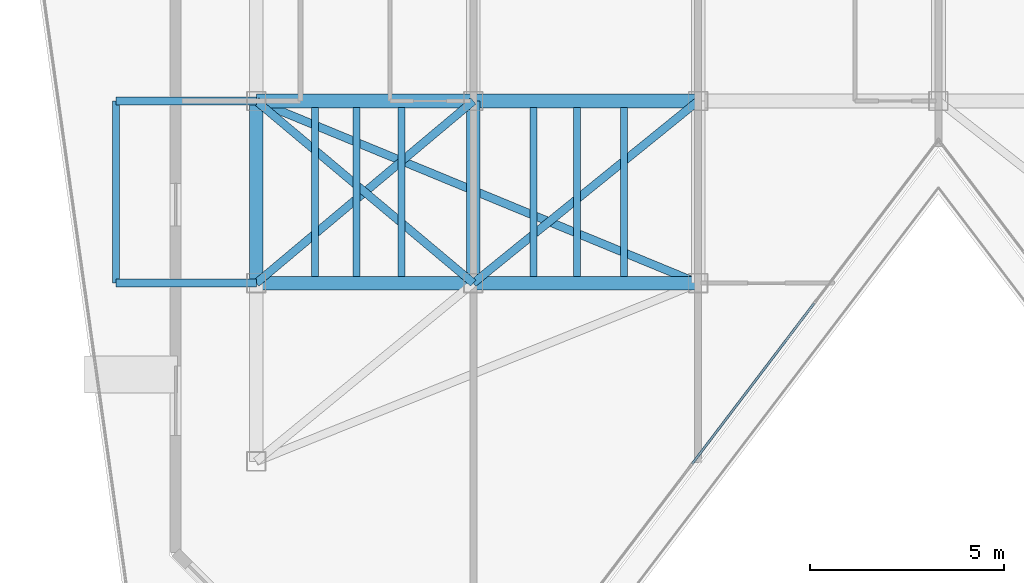
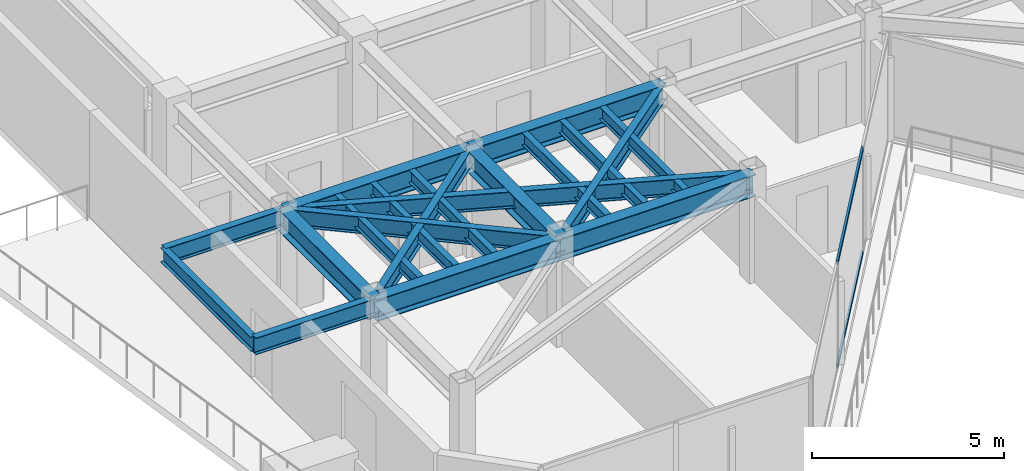
# One storey, part 5 of 20: 19 beams, 2 members, 1 element without a shape of its own.
"""IFC4 building model written with IfcOpenShell, lengths in metres."""

from ifc_helpers import new_model, si_unit, direction, frame, origin, origin_2d, place, context, subcontext, project, spatial, hollow_rectangle, i_section, extrude, material, layer, layer_set, material_profile, profile_set, type_object, element, aggregate, save


model = new_model("IFC4")

# Units and contexts
model_context = context("Model", 3, precision=1e-05, world=origin(), true_north=direction((0.0, 1.0)))
body_context = subcontext(model_context, "Body", "Model", "MODEL_VIEW")
ifc_project = project(units=[si_unit("LENGTHUNIT", "METRE"), si_unit("AREAUNIT", "SQUARE_METRE"), si_unit("VOLUMEUNIT", "CUBIC_METRE"), si_unit("PLANEANGLEUNIT", "RADIAN"), si_unit("MASSUNIT", "GRAM", prefix="KILO")], contexts=[model_context])

# Site, building, storey
site_placement = place(None, origin())
site = spatial("IfcSite", under=ifc_project, at=site_placement, CompositionType="ELEMENT")
building_placement = place(site_placement, origin())
building = spatial("IfcBuilding", under=site, at=building_placement, Name="Kravanh Interchange Tower", CompositionType="ELEMENT")
storey_placement = place(building_placement, frame((0.0, 0.0, 245.39990234375)))
storey = spatial("IfcBuildingStorey", under=building, at=storey_placement, Name="L59", CompositionType="ELEMENT", Elevation=245.39990234375)

# Curtain wall, members
ifc_material_1 = material(Name="Anodised Bronze Aluminium", Category="aluminium")
ifc_layer = layer(ifc_material_1, 0.179931640625)
ifc_layer_set = layer_set([ifc_layer], Name="Unitised Curtain Wall System CW-HTL Luxury Hotel")
curtain_wall_type = type_object("IfcCurtainWallType", Name="Unitised Curtain Wall System CW-HTL Luxury Hotel", PredefinedType="NOTDEFINED", material=ifc_layer_set)
curtain_wall_placement = place(storey_placement, origin())
curtain_wall = element("IfcCurtainWall", 1, at=curtain_wall_placement, inside=storey, type_object=curtain_wall_type, Name="L59 Unitised Curtain Wall CW-L59-05", PredefinedType="NOTDEFINED")
ifc_material_2 = material(Name="Anodised Bronze Aluminium", Category="aluminium")
ifc_material_profile_1 = material_profile(ifc_material_2, hollow_rectangle(XDim=0.06005859375, YDim=0.139892578125, WallThickness=0.00390625, at=origin_2d()), Name="ALU60X140X4")
ifc_profile_set_1 = profile_set([ifc_material_profile_1], Name="Anodised Bronze Aluminium")
member_type = type_object("IfcMemberType", Name="Curtain Wall Transom ALU60X140X4 Bronze", PredefinedType="USERDEFINED", material=ifc_profile_set_1)
member_1_placement = place(storey_placement, frame((41.595458984375, 26.28173828125, 0.030029296875), z_axis=(-0.605104668693, -0.796145928788, 0.0), x_axis=(0.796145928788, -0.605104668693, 0.0)))
member_1 = element("IfcMember", 2, at=member_1_placement, type_object=member_type, Name="CW-HTL transom 2.1", ObjectType="TRANSOM", PredefinedType="USERDEFINED", context=body_context, shape_type="SweptSolid", body=[
    extrude(hollow_rectangle(XDim=0.06005859375, YDim=0.139892578125, WallThickness=0.00390625, at=origin_2d()), origin(), (0.0, 0.0, 1.0), 5.206298828125),
])
member_2_placement = place(storey_placement, frame((41.595458984375, 26.28173828125, 3.330078125), z_axis=(-0.605104668693, -0.796145928788, 0.0), x_axis=(0.796145928788, -0.605104668693, 0.0)))
member_2 = element("IfcMember", 3, at=member_2_placement, type_object=member_type, Name="CW-HTL transom 2.2", ObjectType="TRANSOM", PredefinedType="USERDEFINED", context=body_context, shape_type="SweptSolid", body=[
    extrude(hollow_rectangle(XDim=0.06005859375, YDim=0.139892578125, WallThickness=0.00390625, at=origin_2d()), origin(), (0.0, 0.0, 1.0), 5.206298828125),
])
aggregate(curtain_wall, [member_1, member_2])

# Beams
ifc_material_3 = material(Name="Structural Steel S355", Category="steel")
ifc_material_profile_2 = material_profile(ifc_material_3, i_section(OverallWidth=0.35498046875, OverallDepth=0.696044921875, WebThickness=0.015380859375, FlangeThickness=0.02490234375, FilletRadius=0.02392578125, at=origin_2d()), Name="W27X146")
ifc_profile_set_2 = profile_set([ifc_material_profile_2], Name="Structural Steel S355")
beam_type_1 = type_object("IfcBeamType", Name="Floor Beam W27X146 Structural Steel S355", PredefinedType="BEAM", material=ifc_profile_set_2)
beam_1_placement = place(storey_placement, frame((38.60009765625, 31.5, 3.01220703125), z_axis=(-1.0, 0.0, 0.0), x_axis=(0.0, -1.0, 0.0)))
element("IfcBeam", 4, at=beam_1_placement, inside=storey, type_object=beam_type_1, Name="L59 Primary Floor Girder 18", PredefinedType="BEAM", context=body_context, shape_type="SweptSolid", body=[
    extrude(i_section(OverallWidth=0.35498046875, OverallDepth=0.696044921875, WebThickness=0.015380859375, FlangeThickness=0.02490234375, FilletRadius=0.02392578125, at=origin_2d()), origin(), (0.0, 0.0, 1.0), 5.800048828125),
])
beam_2_placement = place(storey_placement, frame((32.800048828125, 31.5, 3.01220703125), z_axis=(0.0, -1.0, 0.0), x_axis=(1.0, 0.0, 0.0)))
element("IfcBeam", 5, at=beam_2_placement, inside=storey, type_object=beam_type_1, Name="L59 Primary Floor Girder 21", PredefinedType="BEAM", context=body_context, shape_type="SweptSolid", body=[
    extrude(i_section(OverallWidth=0.35498046875, OverallDepth=0.696044921875, WebThickness=0.015380859375, FlangeThickness=0.02490234375, FilletRadius=0.02392578125, at=origin_2d()), origin(), (0.0, 0.0, 1.0), 4.699951171875),
])
beam_3_placement = place(storey_placement, frame((32.800048828125, 31.5, 3.01220703125), z_axis=(-1.0, 0.0, 0.0), x_axis=(0.0, -1.0, 0.0)))
element("IfcBeam", 6, at=beam_3_placement, inside=storey, type_object=beam_type_1, Name="L59 Primary Floor Girder 22", PredefinedType="BEAM", context=body_context, shape_type="SweptSolid", body=[
    extrude(i_section(OverallWidth=0.35498046875, OverallDepth=0.696044921875, WebThickness=0.015380859375, FlangeThickness=0.02490234375, FilletRadius=0.02392578125, at=origin_2d()), origin(), (0.0, 0.0, 1.0), 5.60009765625),
])
beam_4_placement = place(storey_placement, frame((27.199951171875, 31.5, 3.01220703125), z_axis=(0.0, -1.0, 0.0), x_axis=(1.0, 0.0, 0.0)))
element("IfcBeam", 7, at=beam_4_placement, inside=storey, type_object=beam_type_1, Name="L59 Primary Floor Girder 25", PredefinedType="BEAM", context=body_context, shape_type="SweptSolid", body=[
    extrude(i_section(OverallWidth=0.35498046875, OverallDepth=0.696044921875, WebThickness=0.015380859375, FlangeThickness=0.02490234375, FilletRadius=0.02392578125, at=origin_2d()), origin(), (0.0, 0.0, 1.0), 4.699951171875),
])
beam_5_placement = place(storey_placement, frame((38.60009765625, 26.800048828125, 3.01220703125), z_axis=(-1.0, 0.0, 0.0), x_axis=(0.0, -1.0, 0.0)))
element("IfcBeam", 8, at=beam_5_placement, inside=storey, type_object=beam_type_1, Name="L59 Primary Floor Girder 29", PredefinedType="BEAM", context=body_context, shape_type="SweptSolid", body=[
    extrude(i_section(OverallWidth=0.35498046875, OverallDepth=0.696044921875, WebThickness=0.015380859375, FlangeThickness=0.02490234375, FilletRadius=0.02392578125, at=origin_2d()), origin(), (0.0, 0.0, 1.0), 5.800048828125),
])
beam_6_placement = place(storey_placement, frame((27.199951171875, 26.800048828125, 3.01220703125), z_axis=(1.0, 0.0, 0.0), x_axis=(0.0, 1.0, 0.0)))
element("IfcBeam", 9, at=beam_6_placement, inside=storey, type_object=beam_type_1, Name="L59 Primary Floor Girder 42", PredefinedType="BEAM", context=body_context, shape_type="SweptSolid", body=[
    extrude(i_section(OverallWidth=0.35498046875, OverallDepth=0.696044921875, WebThickness=0.015380859375, FlangeThickness=0.02490234375, FilletRadius=0.02392578125, at=origin_2d()), origin(), (0.0, 0.0, 1.0), 5.60009765625),
])
ifc_material_4 = material(Name="Structural Steel S355", Category="steel")
ifc_material_profile_3 = material_profile(ifc_material_4, i_section(OverallWidth=0.177978515625, OverallDepth=0.406005859375, WebThickness=0.0078125, FlangeThickness=0.0126953125, FilletRadius=0.01611328125, at=origin_2d()), Name="W16X40")
ifc_profile_set_3 = profile_set([ifc_material_profile_3], Name="Structural Steel S355")
beam_type_2 = type_object("IfcBeamType", Name="Floor Joist W16X40 Structural Steel S355", PredefinedType="JOIST", material=ifc_profile_set_3)
for number, where, z_axis, x_axis, name in (
    (10, (28.7099609375, 26.972412109375, 3.156982421875), (0.0, 1.0, 0.0), (-1.0, 0.0, 0.0), "L59 Secondary Floor Joist 4"),
    (11, (29.784912109375, 26.972412109375, 3.156982421875), (0.0, 1.0, 0.0), (-1.0, 0.0, 0.0), "L59 Secondary Floor Joist 5"),
    (12, (30.946044921875, 26.972412109375, 3.156982421875), (0.0, 1.0, 0.0), (-1.0, 0.0, 0.0), "L59 Secondary Floor Joist 6"),
    (13, (34.35009765625, 26.972412109375, 3.156982421875), (0.0, 1.0, 0.0), (-1.0, 0.0, 0.0), "L59 Secondary Floor Joist 7"),
    (14, (35.47509765625, 26.972412109375, 3.156982421875), (0.0, 1.0, 0.0), (-1.0, 0.0, 0.0), "L59 Secondary Floor Joist 8"),
    (15, (36.68994140625, 26.972412109375, 3.156982421875), (0.0, 1.0, 0.0), (-1.0, 0.0, 0.0), "L59 Secondary Floor Joist 9"),
):
    element("IfcBeam", number, at=place(storey_placement, frame(where, z_axis=z_axis, x_axis=x_axis)), inside=storey, type_object=beam_type_2, Name=name, PredefinedType="JOIST", context=body_context, shape_type="SweptSolid", body=[
        extrude(i_section(OverallWidth=0.177978515625, OverallDepth=0.406005859375, WebThickness=0.0078125, FlangeThickness=0.0126953125, FilletRadius=0.01611328125, at=origin_2d()), origin(), (0.0, 0.0, 1.0), 4.35498046875),
    ])
ifc_material_5 = material(Name="Structural Steel S355", Category="steel")
ifc_material_profile_4 = material_profile(ifc_material_5, i_section(OverallWidth=0.18994140625, OverallDepth=0.45703125, WebThickness=0.009033203125, FlangeThickness=0.014404296875, FilletRadius=0.01806640625, at=origin_2d()), Name="W18X50")
ifc_profile_set_4 = profile_set([ifc_material_profile_4], Name="Structural Steel S355")
beam_type_3 = type_object("IfcBeamType", Name="Floor Joist W18X50 Structural Steel S355", PredefinedType="JOIST", material=ifc_profile_set_4)
beam_7_placement = place(storey_placement, frame((23.580078125, 26.800048828125, 3.131591796875), z_axis=(0.0, 1.0, 0.0), x_axis=(-1.0, 0.0, 0.0)))
element("IfcBeam", 16, at=beam_7_placement, inside=storey, type_object=beam_type_3, Name="L59 Balcony Edge Tie Beam W", PredefinedType="JOIST", context=body_context, shape_type="SweptSolid", body=[
    extrude(i_section(OverallWidth=0.18994140625, OverallDepth=0.45703125, WebThickness=0.009033203125, FlangeThickness=0.014404296875, FilletRadius=0.01806640625, at=origin_2d()), origin(), (0.0, 0.0, 1.0), 4.699951171875),
])
ifc_material_6 = material(Name="Structural Steel S355", Category="steel")
ifc_material_profile_5 = material_profile(ifc_material_6, i_section(OverallWidth=0.2099609375, OverallDepth=0.537109375, WebThickness=0.010986328125, FlangeThickness=0.017333984375, FilletRadius=0.02001953125, at=origin_2d()), Name="W21X68")
ifc_profile_set_5 = profile_set([ifc_material_profile_5], Name="Structural Steel S355")
beam_type_4 = type_object("IfcBeamType", Name="Floor Spandrel W21X68 Structural Steel S355", PredefinedType="SPANDREL", material=ifc_profile_set_5)
beam_8_placement = place(storey_placement, frame((38.60009765625, 31.5, 3.091552734375), z_axis=(-0.776938619557, -0.629576350764, 0.0), x_axis=(0.629576350764, -0.776938619557, 0.0)))
element("IfcBeam", 17, at=beam_8_placement, inside=storey, type_object=beam_type_4, Name="L59 Perimeter Spandrel 20", PredefinedType="SPANDREL", context=body_context, shape_type="SweptSolid", body=[
    extrude(i_section(OverallWidth=0.2099609375, OverallDepth=0.537109375, WebThickness=0.010986328125, FlangeThickness=0.017333984375, FilletRadius=0.02001953125, at=origin_2d()), origin(), (0.0, 0.0, 1.0), 7.46533203125),
])
for number, where, z_axis, x_axis, name in (
    (18, (32.800048828125, 31.5, 3.091552734375), (-0.765983062929, -0.642860752657, 0.0), (0.642860752657, -0.765983062929, 0.0), "L59 Perimeter Spandrel 24"),
    (19, (27.199951171875, 31.5, 3.091552734375), (0.765983062929, -0.642860752657, 0.0), (0.642860752657, 0.765983062929, 0.0), "L59 Perimeter Spandrel 27"),
):
    element("IfcBeam", number, at=place(storey_placement, frame(where, z_axis=z_axis, x_axis=x_axis)), inside=storey, type_object=beam_type_4, Name=name, PredefinedType="SPANDREL", context=body_context, shape_type="SweptSolid", body=[
        extrude(i_section(OverallWidth=0.2099609375, OverallDepth=0.537109375, WebThickness=0.010986328125, FlangeThickness=0.017333984375, FilletRadius=0.02001953125, at=origin_2d()), origin(), (0.0, 0.0, 1.0), 7.31103515625),
    ])
beam_9_placement = place(storey_placement, frame((27.199951171875, 31.5, 3.091552734375), z_axis=(0.924513176562, -0.381150083778, 0.0), x_axis=(0.381150083778, 0.924513176562, 0.0)))
element("IfcBeam", 20, at=beam_9_placement, inside=storey, type_object=beam_type_4, Name="L59 Perimeter Spandrel 28", PredefinedType="SPANDREL", context=body_context, shape_type="SweptSolid", body=[
    extrude(i_section(OverallWidth=0.2099609375, OverallDepth=0.537109375, WebThickness=0.010986328125, FlangeThickness=0.017333984375, FilletRadius=0.02001953125, at=origin_2d()), origin(), (0.0, 0.0, 1.0), 12.3310546875),
])
for number, where, z_axis, x_axis, name in (
    (21, (27.199951171875, 26.800048828125, 3.091552734375), (-1.0, 0.0, 0.0), (0.0, -1.0, 0.0), "L59 Balcony Cantilever Outrigger W1"),
    (22, (27.199951171875, 31.5, 3.091552734375), (-1.0, 0.0, 0.0), (0.0, -1.0, 0.0), "L59 Balcony Cantilever Outrigger W2"),
):
    element("IfcBeam", number, at=place(storey_placement, frame(where, z_axis=z_axis, x_axis=x_axis)), inside=storey, type_object=beam_type_4, Name=name, PredefinedType="SPANDREL", context=body_context, shape_type="SweptSolid", body=[
        extrude(i_section(OverallWidth=0.2099609375, OverallDepth=0.537109375, WebThickness=0.010986328125, FlangeThickness=0.017333984375, FilletRadius=0.02001953125, at=origin_2d()), origin(), (0.0, 0.0, 1.0), 3.619873046875),
    ])

save(model, "model.ifc")
